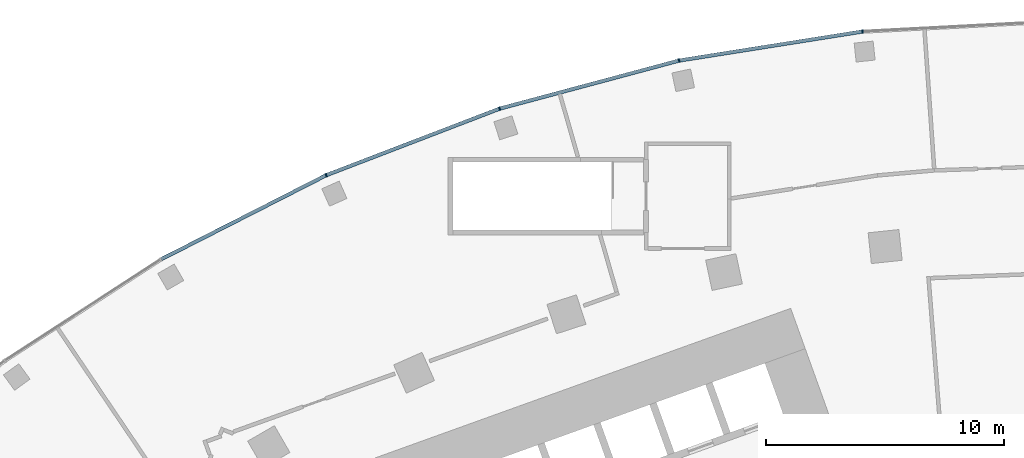
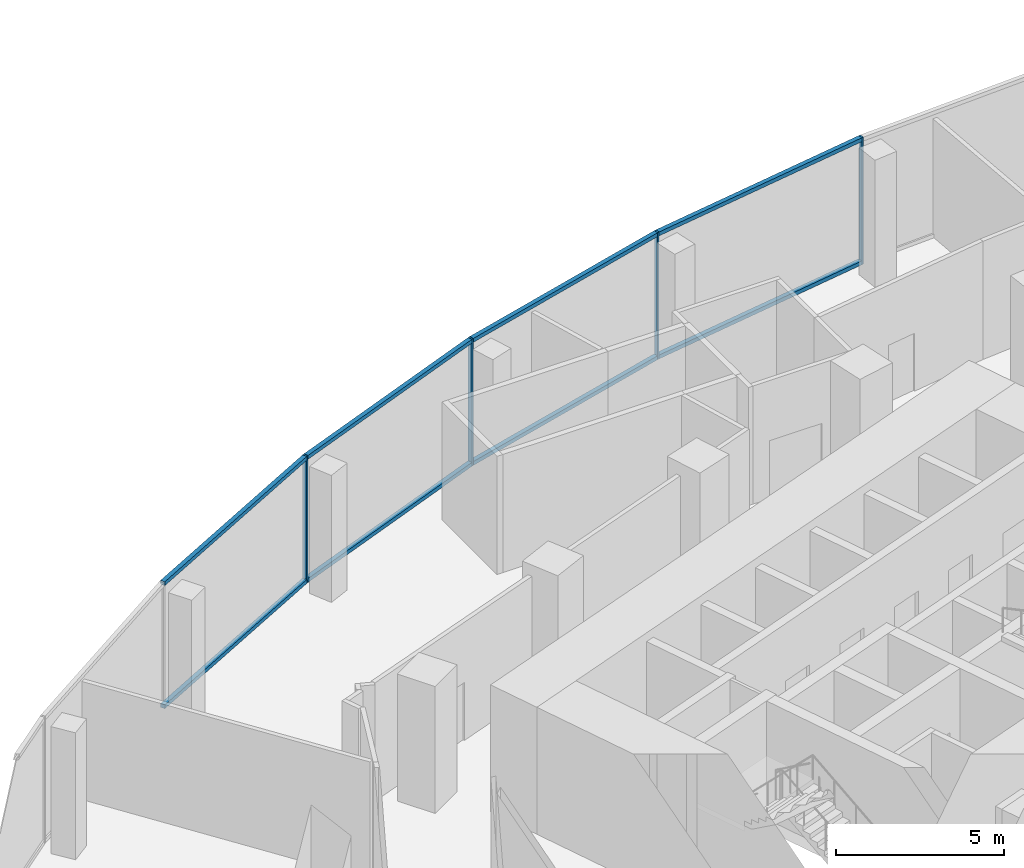
# One storey, part 8 of 33: 12 members, 1 element without a shape of its own.
"""IFC4 building model written with IfcOpenShell, lengths in metres."""

from ifc_helpers import new_model, si_unit, direction, frame, origin, origin_2d, place, context, subcontext, project, spatial, rectangle, extrude, material, layer, layer_set, material_profile, profile_set, type_object, element, aggregate, save


model = new_model("IFC4")

# Units and contexts
model_context = context("Model", 3, precision=1e-05, world=origin(), true_north=direction((0.0, 1.0)))
body_context = subcontext(model_context, "Body", "Model", "MODEL_VIEW")
ifc_project = project(units=[si_unit("LENGTHUNIT", "METRE"), si_unit("AREAUNIT", "SQUARE_METRE"), si_unit("VOLUMEUNIT", "CUBIC_METRE"), si_unit("PLANEANGLEUNIT", "RADIAN"), si_unit("MASSUNIT", "GRAM", prefix="KILO")], contexts=[model_context])

# Site, building, storey
site_placement = place(None, origin())
site = spatial("IfcSite", under=ifc_project, at=site_placement, CompositionType="ELEMENT")
building_placement = place(site_placement, origin())
building = spatial("IfcBuilding", under=site, at=building_placement, Name="Stone Belt Terrace Tower", CompositionType="ELEMENT")
storey_placement = place(building_placement, frame((0.0, 0.0, 25.39990234375)))
storey = spatial("IfcBuildingStorey", under=building, at=storey_placement, Name="L05", CompositionType="ELEMENT", Elevation=25.39990234375)

# Curtain wall, members
ifc_material = material(Name="Aluminium 6063-T6 anodised frame", Category="aluminium")
ifc_layer = layer(ifc_material, 0.14990234375)
ifc_layer_set = layer_set([ifc_layer], Name="CW-D podium shopfront")
curtain_wall_type = type_object("IfcCurtainWallType", Name="CW-D podium shopfront", PredefinedType="NOTDEFINED", material=ifc_layer_set)
curtain_wall_placement = place(storey_placement, origin())
curtain_wall = element("IfcCurtainWall", 1, at=curtain_wall_placement, inside=storey, type_object=curtain_wall_type, Name="CW-D convex face L05", PredefinedType="NOTDEFINED")
ifc_material_profile_1 = material_profile(ifc_material, rectangle(XDim=0.14990234375, YDim=0.06005859375, at=origin_2d()), Name="Aluminium 6063-T6 60x150")
ifc_profile_set_1 = profile_set([ifc_material_profile_1], Name="Aluminium 6063-T6 anodised frame")
member_type_1 = type_object("IfcMemberType", Name="CW-D mullion 60 x 150", PredefinedType="MULLION", material=ifc_profile_set_1)
member_1_placement = place(storey_placement, frame((-7.795166015625, 74.16650390625, 0.0), z_axis=(0.0, 0.0, 1.0), x_axis=(0.104528463268, -0.994521895368, 0.0)))
member_1 = element("IfcMember", 2, at=member_1_placement, type_object=member_type_1, Name="CW-D mullion 14", PredefinedType="MULLION", context=body_context, shape_type="SweptSolid", body=[
    extrude(rectangle(XDim=0.14990234375, YDim=0.06005859375, at=origin_2d()), origin(), (0.0, 0.0, 1.0), 4.60009765625),
])
member_2_placement = place(storey_placement, frame((-15.505126953125, 72.945556640625, 0.0), z_axis=(0.0, 0.0, 1.0), x_axis=(0.207911690818, -0.978147600734, 0.0)))
member_2 = element("IfcMember", 3, at=member_2_placement, type_object=member_type_1, Name="CW-D mullion 15", PredefinedType="MULLION", context=body_context, shape_type="SweptSolid", body=[
    extrude(rectangle(XDim=0.14990234375, YDim=0.06005859375, at=origin_2d()), origin(), (0.0, 0.0, 1.0), 4.60009765625),
])
member_3_placement = place(storey_placement, frame((-23.044921875, 70.925048828125, 0.0), z_axis=(0.0, 0.0, 1.0), x_axis=(0.309016994375, -0.951056516295, 0.0)))
member_3 = element("IfcMember", 4, at=member_3_placement, type_object=member_type_1, Name="CW-D mullion 16", PredefinedType="MULLION", context=body_context, shape_type="SweptSolid", body=[
    extrude(rectangle(XDim=0.14990234375, YDim=0.06005859375, at=origin_2d()), origin(), (0.0, 0.0, 1.0), 4.60009765625),
])
member_4_placement = place(storey_placement, frame((-30.33251953125, 68.127685546875, 0.0), z_axis=(0.0, 0.0, 1.0), x_axis=(0.406736643076, -0.913545457643, 0.0)))
member_4 = element("IfcMember", 5, at=member_4_placement, type_object=member_type_1, Name="CW-D mullion 17", PredefinedType="MULLION", context=body_context, shape_type="SweptSolid", body=[
    extrude(rectangle(XDim=0.14990234375, YDim=0.06005859375, at=origin_2d()), origin(), (0.0, 0.0, 1.0), 4.60009765625),
])
ifc_material_profile_2 = material_profile(ifc_material, rectangle(XDim=0.14990234375, YDim=0.139892578125, at=origin_2d()), Name="Aluminium 6063-T6 150x140")
ifc_profile_set_2 = profile_set([ifc_material_profile_2], Name="Aluminium 6063-T6 anodised frame")
member_type_2 = type_object("IfcMemberType", Name="CW-D transom 140 x 150", PredefinedType="USERDEFINED", material=ifc_profile_set_2)
member_5_placement = place(storey_placement, frame((-7.82861328125, 74.161376953125, 0.070068359375), z_axis=(-0.987685334162, -0.156453445733, 0.0), x_axis=(0.156453445733, -0.987685334162, 0.0)))
member_5 = element("IfcMember", 6, at=member_5_placement, type_object=member_type_2, Name="CW-D transom 14.1", ObjectType="TRANSOM", PredefinedType="USERDEFINED", context=body_context, shape_type="SweptSolid", body=[
    extrude(rectangle(XDim=0.14990234375, YDim=0.139892578125, at=origin_2d()), origin(), (0.0, 0.0, 1.0), 7.73828125),
])
member_6_placement = place(storey_placement, frame((-7.82861328125, 74.161376953125, 4.530029296875), z_axis=(-0.987685334162, -0.156453445733, 0.0), x_axis=(0.156453445733, -0.987685334162, 0.0)))
member_6 = element("IfcMember", 7, at=member_6_placement, type_object=member_type_2, Name="CW-D transom 14.2", ObjectType="TRANSOM", PredefinedType="USERDEFINED", context=body_context, shape_type="SweptSolid", body=[
    extrude(rectangle(XDim=0.14990234375, YDim=0.139892578125, at=origin_2d()), origin(), (0.0, 0.0, 1.0), 7.73828125),
])
member_7_placement = place(storey_placement, frame((-15.537841796875, 72.936767578125, 0.070068359375), z_axis=(-0.965920024897, -0.258840695223, 0.0), x_axis=(0.258840695223, -0.965920024897, 0.0)))
member_7 = element("IfcMember", 8, at=member_7_placement, type_object=member_type_2, Name="CW-D transom 15.1", ObjectType="TRANSOM", PredefinedType="USERDEFINED", context=body_context, shape_type="SweptSolid", body=[
    extrude(rectangle(XDim=0.14990234375, YDim=0.139892578125, at=origin_2d()), origin(), (0.0, 0.0, 1.0), 7.738037109375),
])
member_8_placement = place(storey_placement, frame((-15.537841796875, 72.936767578125, 4.530029296875), z_axis=(-0.965920024897, -0.258840695223, 0.0), x_axis=(0.258840695223, -0.965920024897, 0.0)))
member_8 = element("IfcMember", 9, at=member_8_placement, type_object=member_type_2, Name="CW-D transom 15.2", ObjectType="TRANSOM", PredefinedType="USERDEFINED", context=body_context, shape_type="SweptSolid", body=[
    extrude(rectangle(XDim=0.14990234375, YDim=0.139892578125, at=origin_2d()), origin(), (0.0, 0.0, 1.0), 7.738037109375),
])
member_9_placement = place(storey_placement, frame((-23.07666015625, 70.9130859375, 0.070068359375), z_axis=(-0.933575536994, -0.358380686878, 0.0), x_axis=(0.358380686878, -0.933575536994, 0.0)))
member_9 = element("IfcMember", 10, at=member_9_placement, type_object=member_type_2, Name="CW-D transom 16.1", ObjectType="TRANSOM", PredefinedType="USERDEFINED", context=body_context, shape_type="SweptSolid", body=[
    extrude(rectangle(XDim=0.14990234375, YDim=0.139892578125, at=origin_2d()), origin(), (0.0, 0.0, 1.0), 7.738037109375),
])
member_10_placement = place(storey_placement, frame((-23.07666015625, 70.9130859375, 4.530029296875), z_axis=(-0.933575536994, -0.358380686878, 0.0), x_axis=(0.358380686878, -0.933575536994, 0.0)))
member_10 = element("IfcMember", 11, at=member_10_placement, type_object=member_type_2, Name="CW-D transom 16.2", ObjectType="TRANSOM", PredefinedType="USERDEFINED", context=body_context, shape_type="SweptSolid", body=[
    extrude(rectangle(XDim=0.14990234375, YDim=0.139892578125, at=origin_2d()), origin(), (0.0, 0.0, 1.0), 7.738037109375),
])
member_11_placement = place(storey_placement, frame((-30.362548828125, 68.1123046875, 0.070068359375), z_axis=(-0.891013010183, -0.453977770034, 0.0), x_axis=(0.453977770034, -0.891013010183, 0.0)))
member_11 = element("IfcMember", 12, at=member_11_placement, type_object=member_type_2, Name="CW-D transom 17.1", ObjectType="TRANSOM", PredefinedType="USERDEFINED", context=body_context, shape_type="SweptSolid", body=[
    extrude(rectangle(XDim=0.14990234375, YDim=0.139892578125, at=origin_2d()), origin(), (0.0, 0.0, 1.0), 7.738037109375),
])
member_12_placement = place(storey_placement, frame((-30.362548828125, 68.1123046875, 4.530029296875), z_axis=(-0.891013010183, -0.453977770034, 0.0), x_axis=(0.453977770034, -0.891013010183, 0.0)))
member_12 = element("IfcMember", 13, at=member_12_placement, type_object=member_type_2, Name="CW-D transom 17.2", ObjectType="TRANSOM", PredefinedType="USERDEFINED", context=body_context, shape_type="SweptSolid", body=[
    extrude(rectangle(XDim=0.14990234375, YDim=0.139892578125, at=origin_2d()), origin(), (0.0, 0.0, 1.0), 7.738037109375),
])
aggregate(curtain_wall, [member_1, member_2, member_3, member_4, member_5, member_6, member_7, member_8, member_9, member_10, member_11, member_12])

save(model, "model.ifc")
